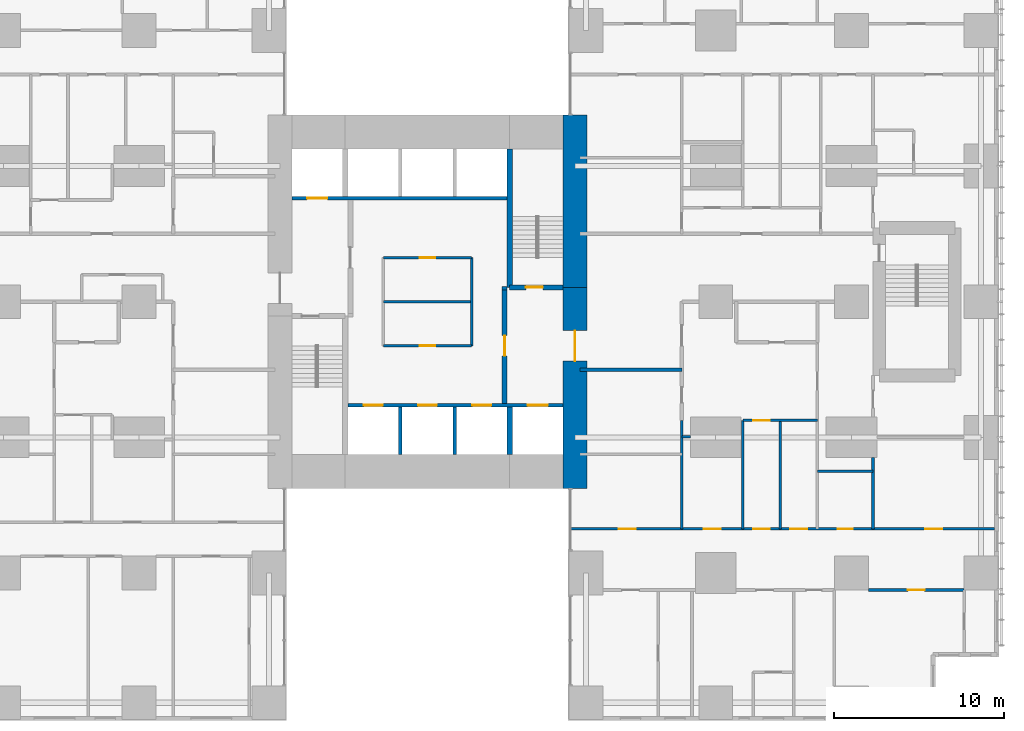
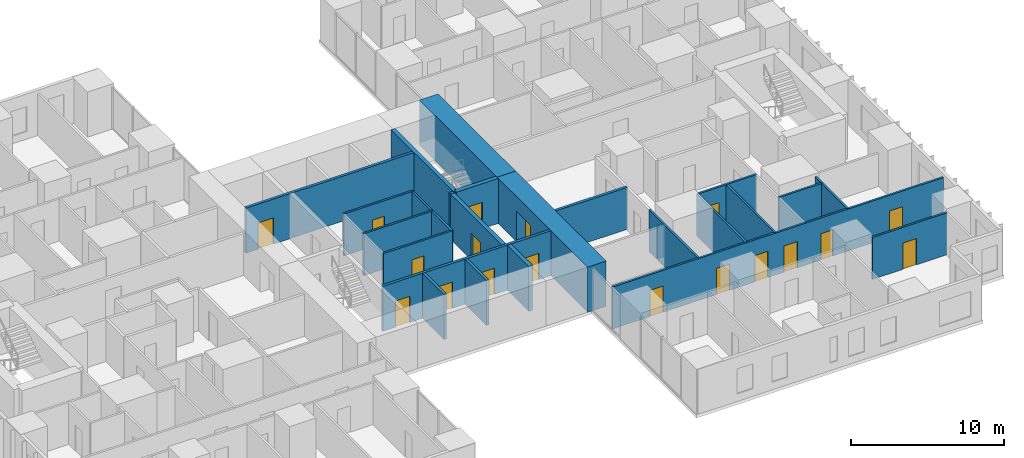
# One storey, part 15 of 20: 25 walls, 18 doors, 18 openings.
"""IFC4 building model written with IfcOpenShell, lengths in metres."""

from ifc_helpers import new_model, si_unit, direction, frame, frame_2d, origin, place, context, subcontext, project, spatial, rectangle, extrude, material, layer, layer_set, type_object, element, fill, save


model = new_model("IFC4")

# Units and contexts
model_context = context("Model", 3, precision=1e-05, world=origin(), true_north=direction((0.0, 1.0)))
body_context = subcontext(model_context, "Body", "Model", "MODEL_VIEW")
ifc_project = project(units=[si_unit("LENGTHUNIT", "METRE"), si_unit("AREAUNIT", "SQUARE_METRE"), si_unit("VOLUMEUNIT", "CUBIC_METRE"), si_unit("PLANEANGLEUNIT", "RADIAN"), si_unit("MASSUNIT", "GRAM", prefix="KILO")], contexts=[model_context])

# Site, building, storey
site_placement = place(None, origin())
site = spatial("IfcSite", under=ifc_project, at=site_placement, CompositionType="ELEMENT")
building_placement = place(site_placement, origin())
building = spatial("IfcBuilding", under=site, at=building_placement, Name="Cleftline Residences", CompositionType="ELEMENT")
storey_placement = place(building_placement, frame((0.0, 0.0, 69.199951171875)))
storey = spatial("IfcBuildingStorey", under=building, at=storey_placement, Name="L17", CompositionType="ELEMENT", Elevation=69.199951171875)

# Wall, opening, door
ifc_material_1 = material(Name="Concrete B70", Category="concrete")
ifc_layer_1 = layer(ifc_material_1, 1.39990234375)
ifc_layer_set_1 = layer_set([ifc_layer_1], Name="CORE WALL 1400")
wall_type_1 = type_object("IfcWallType", Name="CORE WALL 1400", PredefinedType="SHEAR", material=ifc_layer_set_1)
wall_1_placement = place(storey_placement, frame((41.699951171875, 13.0, 0.0), z_axis=(0.0, 0.0, 1.0), x_axis=(0.0, 1.0, 0.0)))
wall_1 = element("IfcWall", 1, at=wall_1_placement, inside=storey, type_object=wall_type_1, Name="Core wall E", PredefinedType="SHEAR", context=body_context, shape_type="SweptSolid", body=[
    extrude(rectangle(XDim=11.85009765625, YDim=1.39990234375, at=frame_2d((5.925048828125, 0.0))), origin(), (0.0, 0.0, 1.0), 3.60009765625),
])
opening_1_placement = place(wall_1_placement, frame((7.5, 0.0, 0.0)))
opening_1 = element("IfcOpeningElement", 2, at=opening_1_placement, cuts=wall_1, Name="Opening D7", PredefinedType="OPENING", context=body_context, shape_type="SweptSolid", body=[
    extrude(rectangle(XDim=1.800048828125, YDim=2.39990234375, at=frame_2d((0.89990234375, 1.199951171875))), frame((0.0, 0.7099609375, 0.0), z_axis=(0.0, -1.0, 0.0), x_axis=(1.0, 0.0, 0.0)), (0.0, 0.0, 1.0), 1.419921875),
])
ifc_material_2 = material(Name="Steel", Category="steel")
door_type_1 = type_object("IfcDoorType", Name="WING DOOR 1800X2400", OperationType="DOUBLE_DOOR_DOUBLE_SWING", PredefinedType="DOOR", material=ifc_material_2)
door_1_placement = place(opening_1_placement, origin())
door_1 = element("IfcDoor", 3, at=door_1_placement, inside=storey, type_object=door_type_1, Name="East wing door", OperationType="DOUBLE_DOOR_DOUBLE_SWING", OverallHeight=2.39990234375, OverallWidth=1.800048828125, PredefinedType="DOOR", context=body_context, shape_type="SweptSolid", body=[
    extrude(rectangle(XDim=1.800048828125, YDim=2.39990234375, at=frame_2d((0.89990234375, 1.199951171875))), frame((0.0, 0.02490234375, 0.0), z_axis=(0.0, -1.0, 0.0), x_axis=(1.0, 0.0, 0.0)), (0.0, 0.0, 1.0), 0.050048828125),
])
fill(opening_1, door_1)

# Walls
wall_2_placement = place(storey_placement, frame((41.699951171875, 24.85009765625, 0.0), z_axis=(0.0, 0.0, 1.0), x_axis=(0.0, 1.0, 0.0)))
element("IfcWall", 4, at=wall_2_placement, inside=storey, type_object=wall_type_1, Name="Core wall E1", PredefinedType="SHEAR", context=body_context, shape_type="SweptSolid", body=[
    extrude(rectangle(XDim=10.14990234375, YDim=1.39990234375, at=frame_2d((5.074951171875, 0.0))), origin(), (0.0, 0.0, 1.0), 3.60009765625),
])
ifc_material_3 = material(Name="Concrete B70", Category="concrete")
ifc_layer_2 = layer(ifc_material_3, 0.300048828125)
ifc_layer_set_2 = layer_set([ifc_layer_2], Name="CORE WALL 300")
wall_type_2 = type_object("IfcWallType", Name="CORE WALL 300", PredefinedType="SHEAR", material=ifc_layer_set_2)
wall_3_placement = place(storey_placement, frame((37.85009765625, 24.85009765625, 0.0), z_axis=(0.0, 0.0, 1.0), x_axis=(0.0, 1.0, 0.0)))
element("IfcWall", 5, at=wall_3_placement, inside=storey, type_object=wall_type_2, Name="Core wall SB-W", PredefinedType="SHEAR", context=body_context, shape_type="SweptSolid", body=[
    extrude(rectangle(XDim=8.14990234375, YDim=0.300048828125, at=frame_2d((4.074951171875, 0.0))), origin(), (0.0, 0.0, 1.0), 3.60009765625),
])

# Wall, opening, door
wall_4_placement = place(storey_placement, frame((37.85009765625, 24.85009765625, 0.0), z_axis=(0.0, 0.0, 1.0), x_axis=(1.0, 0.0, 0.0)))
wall_4 = element("IfcWall", 6, at=wall_4_placement, inside=storey, type_object=wall_type_2, Name="Core wall SB-S", PredefinedType="SHEAR", context=body_context, shape_type="SweptSolid", body=[
    extrude(rectangle(XDim=3.14990234375, YDim=0.300048828125, at=frame_2d((1.574951171875, 0.0))), origin(), (0.0, 0.0, 1.0), 3.60009765625),
])
opening_2_placement = place(wall_4_placement, frame((0.949951171875, 0.0, 0.0)))
opening_2 = element("IfcOpeningElement", 7, at=opening_2_placement, cuts=wall_4, Name="Opening D5", PredefinedType="OPENING", context=body_context, shape_type="SweptSolid", body=[
    extrude(rectangle(XDim=1.0, YDim=2.10009765625, at=frame_2d((0.5, 1.050048828125))), frame((0.0, 0.159912109375, 0.0), z_axis=(0.0, -1.0, 0.0), x_axis=(1.0, 0.0, 0.0)), (0.0, 0.0, 1.0), 0.320068359375),
])
ifc_material_4 = material(Name="Steel", Category="steel")
door_type_2 = type_object("IfcDoorType", Name="STAIR DOOR 1000X2100", OperationType="SINGLE_SWING_LEFT", PredefinedType="DOOR", material=ifc_material_4)
door_2_placement = place(opening_2_placement, origin())
door_2 = element("IfcDoor", 8, at=door_2_placement, inside=storey, type_object=door_type_2, Name="Stair B door", OperationType="SINGLE_SWING_RIGHT", OverallHeight=2.10009765625, OverallWidth=1.0, PredefinedType="DOOR", context=body_context, shape_type="SweptSolid", body=[
    extrude(rectangle(XDim=1.0, YDim=2.10009765625, at=frame_2d((0.5, 1.050048828125))), frame((0.0, 0.02490234375, 0.0), z_axis=(0.0, -1.0, 0.0), x_axis=(1.0, 0.0, 0.0)), (0.0, 0.0, 1.0), 0.050048828125),
])
fill(opening_2, door_2)

# Walls
wall_5_placement = place(storey_placement, frame((37.85009765625, 15.0, 0.0), z_axis=(0.0, 0.0, 1.0), x_axis=(0.0, 1.0, 0.0)))
element("IfcWall", 9, at=wall_5_placement, inside=storey, type_object=wall_type_2, Name="Lift shaft wall", PredefinedType="SHEAR", context=body_context, shape_type="SweptSolid", body=[
    extrude(rectangle(XDim=2.800048828125, YDim=0.300048828125, at=frame_2d((1.39990234375, 0.0))), origin(), (0.0, 0.0, 1.0), 3.60009765625),
])
ifc_material_5 = material(Name="Concrete blockwork, fire rated", Category="masonry")
ifc_layer_3 = layer(ifc_material_5, 0.199951171875)
ifc_layer_set_3 = layer_set([ifc_layer_3], Name="FIRE WALL 200")
wall_type_3 = type_object("IfcWallType", Name="FIRE WALL 200", PredefinedType="PARTITIONING", material=ifc_layer_set_3)
wall_6_placement = place(storey_placement, frame((42.0, 20.0, 0.0), z_axis=(0.0, 0.0, 1.0), x_axis=(1.0, 0.0, 0.0)))
element("IfcWall", 10, at=wall_6_placement, inside=storey, type_object=wall_type_3, Name="Fire separating wall", PredefinedType="PARTITIONING", context=body_context, shape_type="SweptSolid", body=[
    extrude(rectangle(XDim=6.0, YDim=0.199951171875, at=frame_2d((3.0, 0.0))), origin(), (0.0, 0.0, 1.0), 3.35009765625),
])
wall_7_placement = place(storey_placement, frame((37.39990234375, 24.800048828125, 0.0), z_axis=(0.0, 0.0, 1.0), x_axis=(1.0, 0.0, 0.0)))
element("IfcWall", 11, at=wall_7_placement, inside=storey, type_object=wall_type_3, Name="Fire separating wall", PredefinedType="PARTITIONING", context=body_context, shape_type="SweptSolid", body=[
    extrude(rectangle(XDim=0.300048828125, YDim=0.199951171875, at=frame_2d((0.14990234375, 0.0))), origin(), (0.0, 0.0, 1.0), 3.60009765625),
])

# Wall, opening, door
ifc_material_6 = material(Name="Gypsum board on steel studs", Category="steel")
ifc_layer_4 = layer(ifc_material_6, 0.14990234375)
ifc_layer_set_4 = layer_set([ifc_layer_4], Name="PARTITION 150")
wall_type_4 = type_object("IfcWallType", Name="PARTITION 150", PredefinedType="PARTITIONING", material=ifc_layer_set_4)
wall_8_placement = place(storey_placement, frame((59.0, 7.0, 0.0), z_axis=(0.0, 0.0, 1.0), x_axis=(1.0, 0.0, 0.0)))
wall_8 = element("IfcWall", 12, at=wall_8_placement, inside=storey, type_object=wall_type_4, Name="Partition", PredefinedType="PARTITIONING", context=body_context, shape_type="SweptSolid", body=[
    extrude(rectangle(XDim=5.64990234375, YDim=0.14990234375, at=frame_2d((2.824951171875, 0.0))), origin(), (0.0, 0.0, 1.0), 3.35009765625),
])
opening_3_placement = place(wall_8_placement, frame((2.324951171875, 0.0, 0.0)))
opening_3 = element("IfcOpeningElement", 13, at=opening_3_placement, cuts=wall_8, Name="Opening D2", PredefinedType="OPENING", context=body_context, shape_type="SweptSolid", body=[
    extrude(rectangle(XDim=1.0, YDim=2.10009765625, at=frame_2d((0.5, 1.050048828125))), frame((0.0, 0.0849609375, 0.0), z_axis=(0.0, -1.0, 0.0), x_axis=(1.0, 0.0, 0.0)), (0.0, 0.0, 1.0), 0.169921875),
])
ifc_material_7 = material(Name="Timber veneer on solid core", Category="wood")
door_type_3 = type_object("IfcDoorType", Name="DOOR 1000X2100", OperationType="SINGLE_SWING_LEFT", PredefinedType="DOOR", material=ifc_material_7)
door_3_placement = place(opening_3_placement, origin())
door_3 = element("IfcDoor", 14, at=door_3_placement, inside=storey, type_object=door_type_3, Name="Door to master bedroom", OperationType="SINGLE_SWING_LEFT", OverallHeight=2.10009765625, OverallWidth=1.0, PredefinedType="DOOR", context=body_context, shape_type="SweptSolid", body=[
    extrude(rectangle(XDim=1.0, YDim=2.10009765625, at=frame_2d((0.5, 1.050048828125))), frame((0.0, 0.02490234375, 0.0), z_axis=(0.0, -1.0, 0.0), x_axis=(1.0, 0.0, 0.0)), (0.0, 0.0, 1.0), 0.050048828125),
])
fill(opening_3, door_3)

# Wall, openings, doors
wall_9_placement = place(storey_placement, frame((41.43896484375, 10.60009765625, 0.0), z_axis=(0.0, 0.0, 1.0), x_axis=(1.0, 0.0, 0.0)))
wall_9 = element("IfcWall", 15, at=wall_9_placement, inside=storey, type_object=wall_type_4, Name="Partition", PredefinedType="PARTITIONING", context=body_context, shape_type="SweptSolid", body=[
    extrude(rectangle(XDim=25.010986328125, YDim=0.14990234375, at=frame_2d((12.50537109375, 0.0))), origin(), (0.0, 0.0, 1.0), 3.35009765625),
])
opening_4_placement = place(wall_9_placement, frame((10.760986328125, 0.0, 0.0)))
opening_4 = element("IfcOpeningElement", 16, at=opening_4_placement, cuts=wall_9, Name="Opening D2", PredefinedType="OPENING", context=body_context, shape_type="SweptSolid", body=[
    extrude(rectangle(XDim=1.0, YDim=2.10009765625, at=frame_2d((0.5, 1.050048828125))), frame((0.0, 0.0849609375, 0.0), z_axis=(0.0, -1.0, 0.0), x_axis=(1.0, 0.0, 0.0)), (0.0, 0.0, 1.0), 0.169921875),
])
opening_5_placement = place(wall_9_placement, frame((20.923583984375, 0.0, 0.0)))
opening_5 = element("IfcOpeningElement", 17, at=opening_5_placement, cuts=wall_9, Name="Opening D2", PredefinedType="OPENING", context=body_context, shape_type="SweptSolid", body=[
    extrude(rectangle(XDim=1.0, YDim=2.10009765625, at=frame_2d((0.5, 1.050048828125))), frame((0.0, 0.0849609375, 0.0), z_axis=(0.0, -1.0, 0.0), x_axis=(1.0, 0.0, 0.0)), (0.0, 0.0, 1.0), 0.169921875),
])
opening_6_placement = place(wall_9_placement, frame((15.74853515625, 0.0, 0.0)))
opening_6 = element("IfcOpeningElement", 18, at=opening_6_placement, cuts=wall_9, Name="Opening D1", PredefinedType="OPENING", context=body_context, shape_type="SweptSolid", body=[
    extrude(rectangle(XDim=0.89990234375, YDim=2.10009765625, at=frame_2d((0.449951171875, 1.050048828125))), frame((0.0, 0.0849609375, 0.0), z_axis=(0.0, -1.0, 0.0), x_axis=(1.0, 0.0, 0.0)), (0.0, 0.0, 1.0), 0.169921875),
])
opening_7_placement = place(wall_9_placement, frame((12.9609375, 0.0, 0.0)))
opening_7 = element("IfcOpeningElement", 19, at=opening_7_placement, cuts=wall_9, Name="Opening D2", PredefinedType="OPENING", context=body_context, shape_type="SweptSolid", body=[
    extrude(rectangle(XDim=1.0, YDim=2.10009765625, at=frame_2d((0.5, 1.050048828125))), frame((0.0, 0.0849609375, 0.0), z_axis=(0.0, -1.0, 0.0), x_axis=(1.0, 0.0, 0.0)), (0.0, 0.0, 1.0), 0.169921875),
])
opening_8_placement = place(wall_9_placement, frame((7.861083984375, 0.0, 0.0)))
opening_8 = element("IfcOpeningElement", 20, at=opening_8_placement, cuts=wall_9, Name="Opening D2", PredefinedType="OPENING", context=body_context, shape_type="SweptSolid", body=[
    extrude(rectangle(XDim=1.0, YDim=2.10009765625, at=frame_2d((0.5, 1.050048828125))), frame((0.0, 0.0849609375, 0.0), z_axis=(0.0, -1.0, 0.0), x_axis=(1.0, 0.0, 0.0)), (0.0, 0.0, 1.0), 0.169921875),
])
opening_9_placement = place(wall_9_placement, frame((2.8359375, 0.0, 0.0)))
opening_9 = element("IfcOpeningElement", 21, at=opening_9_placement, cuts=wall_9, Name="Opening D2", PredefinedType="OPENING", context=body_context, shape_type="SweptSolid", body=[
    extrude(rectangle(XDim=1.0, YDim=2.10009765625, at=frame_2d((0.5, 1.050048828125))), frame((0.0, 0.0849609375, 0.0), z_axis=(0.0, -1.0, 0.0), x_axis=(1.0, 0.0, 0.0)), (0.0, 0.0, 1.0), 0.169921875),
])
door_4_placement = place(opening_4_placement, origin())
door_4 = element("IfcDoor", 22, at=door_4_placement, inside=storey, type_object=door_type_3, Name="Door to residence hall", OperationType="SINGLE_SWING_RIGHT", OverallHeight=2.10009765625, OverallWidth=1.0, PredefinedType="DOOR", context=body_context, shape_type="SweptSolid", body=[
    extrude(rectangle(XDim=1.0, YDim=2.10009765625, at=frame_2d((0.5, 1.050048828125))), frame((0.0, 0.02490234375, 0.0), z_axis=(0.0, -1.0, 0.0), x_axis=(1.0, 0.0, 0.0)), (0.0, 0.0, 1.0), 0.050048828125),
])
fill(opening_4, door_4)
door_5_placement = place(opening_5_placement, origin())
door_5 = element("IfcDoor", 23, at=door_5_placement, inside=storey, type_object=door_type_3, Name="Door to sea-view living room", OperationType="SINGLE_SWING_LEFT", OverallHeight=2.10009765625, OverallWidth=1.0, PredefinedType="DOOR", context=body_context, shape_type="SweptSolid", body=[
    extrude(rectangle(XDim=1.0, YDim=2.10009765625, at=frame_2d((0.5, 1.050048828125))), frame((0.0, 0.02490234375, 0.0), z_axis=(0.0, -1.0, 0.0), x_axis=(1.0, 0.0, 0.0)), (0.0, 0.0, 1.0), 0.050048828125),
])
fill(opening_5, door_5)
door_6_placement = place(opening_7_placement, origin())
door_6 = element("IfcDoor", 24, at=door_6_placement, inside=storey, type_object=door_type_3, Name="Door to show kitchen", OperationType="SINGLE_SWING_LEFT", OverallHeight=2.10009765625, OverallWidth=1.0, PredefinedType="DOOR", context=body_context, shape_type="SweptSolid", body=[
    extrude(rectangle(XDim=1.0, YDim=2.10009765625, at=frame_2d((0.5, 1.050048828125))), frame((0.0, 0.02490234375, 0.0), z_axis=(0.0, -1.0, 0.0), x_axis=(1.0, 0.0, 0.0)), (0.0, 0.0, 1.0), 0.050048828125),
])
fill(opening_7, door_6)
door_7_placement = place(opening_8_placement, origin())
door_7 = element("IfcDoor", 25, at=door_7_placement, inside=storey, type_object=door_type_3, Name="Door to wet kitchen", OperationType="SINGLE_SWING_RIGHT", OverallHeight=2.10009765625, OverallWidth=1.0, PredefinedType="DOOR", context=body_context, shape_type="SweptSolid", body=[
    extrude(rectangle(XDim=1.0, YDim=2.10009765625, at=frame_2d((0.5, 1.050048828125))), frame((0.0, 0.02490234375, 0.0), z_axis=(0.0, -1.0, 0.0), x_axis=(1.0, 0.0, 0.0)), (0.0, 0.0, 1.0), 0.050048828125),
])
fill(opening_8, door_7)
door_8_placement = place(opening_9_placement, origin())
door_8 = element("IfcDoor", 26, at=door_8_placement, inside=storey, type_object=door_type_3, Name="Door to study", OperationType="SINGLE_SWING_RIGHT", OverallHeight=2.10009765625, OverallWidth=1.0, PredefinedType="DOOR", context=body_context, shape_type="SweptSolid", body=[
    extrude(rectangle(XDim=1.0, YDim=2.10009765625, at=frame_2d((0.5, 1.050048828125))), frame((0.0, 0.02490234375, 0.0), z_axis=(0.0, -1.0, 0.0), x_axis=(1.0, 0.0, 0.0)), (0.0, 0.0, 1.0), 0.050048828125),
])
fill(opening_9, door_8)
ifc_material_8 = material(Name="Timber veneer on solid core", Category="wood")
door_type_4 = type_object("IfcDoorType", Name="DOOR 900X2100", OperationType="SINGLE_SWING_LEFT", PredefinedType="DOOR", material=ifc_material_8)
door_9_placement = place(opening_6_placement, origin())
door_9 = element("IfcDoor", 27, at=door_9_placement, inside=storey, type_object=door_type_4, Name="Door to master bathroom", OperationType="SINGLE_SWING_LEFT", OverallHeight=2.10009765625, OverallWidth=0.89990234375, PredefinedType="DOOR", context=body_context, shape_type="SweptSolid", body=[
    extrude(rectangle(XDim=0.89990234375, YDim=2.10009765625, at=frame_2d((0.449951171875, 1.050048828125))), frame((0.0, 0.02490234375, 0.0), z_axis=(0.0, -1.0, 0.0), x_axis=(1.0, 0.0, 0.0)), (0.0, 0.0, 1.0), 0.050048828125),
])
fill(opening_6, door_9)

# Walls
wall_10_placement = place(storey_placement, frame((56.0, 14.0, 0.0), z_axis=(0.0, 0.0, 1.0), x_axis=(1.0, 0.0, 0.0)))
element("IfcWall", 28, at=wall_10_placement, inside=storey, type_object=wall_type_4, Name="Partition", PredefinedType="PARTITIONING", context=body_context, shape_type="SweptSolid", body=[
    extrude(rectangle(XDim=3.27490234375, YDim=0.14990234375, at=frame_2d((1.637451171875, 0.0))), origin(), (0.0, 0.0, 1.0), 3.35009765625),
])
wall_11_placement = place(storey_placement, frame((48.0, 16.050048828125, 0.0), z_axis=(0.0, 0.0, 1.0), x_axis=(1.0, 0.0, 0.0)))
element("IfcWall", 29, at=wall_11_placement, inside=storey, type_object=wall_type_4, Name="Partition", PredefinedType="PARTITIONING", context=body_context, shape_type="SweptSolid", body=[
    extrude(rectangle(XDim=0.5, YDim=0.14990234375, at=frame_2d((0.25, 0.0))), origin(), (0.0, 0.0, 1.0), 2.634033203125),
])

# Wall, opening, door
wall_12_placement = place(storey_placement, frame((51.60009765625, 17.0, 0.0), z_axis=(0.0, 0.0, 1.0), x_axis=(1.0, 0.0, 0.0)))
wall_12 = element("IfcWall", 30, at=wall_12_placement, inside=storey, type_object=wall_type_4, Name="Partition", PredefinedType="PARTITIONING", context=body_context, shape_type="SweptSolid", body=[
    extrude(rectangle(XDim=4.39990234375, YDim=0.14990234375, at=frame_2d((2.199951171875, 0.0))), origin(), (0.0, 0.0, 1.0), 3.35009765625),
])
opening_10_placement = place(wall_12_placement, frame((0.60009765625, 0.0, 0.0)))
opening_10 = element("IfcOpeningElement", 31, at=opening_10_placement, cuts=wall_12, Name="Opening D2", PredefinedType="OPENING", context=body_context, shape_type="SweptSolid", body=[
    extrude(rectangle(XDim=1.0, YDim=2.10009765625, at=frame_2d((0.5, 1.050048828125))), frame((0.0, 0.0849609375, 0.0), z_axis=(0.0, -1.0, 0.0), x_axis=(1.0, 0.0, 0.0)), (0.0, 0.0, 1.0), 0.169921875),
])
door_10_placement = place(opening_10_placement, origin())
door_10 = element("IfcDoor", 32, at=door_10_placement, inside=storey, type_object=door_type_3, Name="Door to residence passage", OperationType="SINGLE_SWING_RIGHT", OverallHeight=2.10009765625, OverallWidth=1.0, PredefinedType="DOOR", context=body_context, shape_type="SweptSolid", body=[
    extrude(rectangle(XDim=1.0, YDim=2.10009765625, at=frame_2d((0.5, 1.050048828125))), frame((0.0, 0.02490234375, 0.0), z_axis=(0.0, -1.0, 0.0), x_axis=(1.0, 0.0, 0.0)), (0.0, 0.0, 1.0), 0.050048828125),
])
fill(opening_10, door_10)

# Walls
for number, where, z_axis, x_axis, name in (
    (33, (48.0, 10.60009765625, 0.0), (0.0, 0.0, 1.0), (0.0, 1.0, 0.0), "Partition"),
    (34, (51.60009765625, 10.60009765625, 0.0), (0.0, 0.0, 1.0), (0.0, 1.0, 0.0), "Partition"),
    (35, (53.800048828125, 10.60009765625, 0.0), (0.0, 0.0, 1.0), (0.0, 1.0, 0.0), "Partition"),
):
    element("IfcWall", number, at=place(storey_placement, frame(where, z_axis=z_axis, x_axis=x_axis)), inside=storey, type_object=wall_type_4, Name=name, PredefinedType="PARTITIONING", context=body_context, shape_type="SweptSolid", body=[
        extrude(rectangle(XDim=6.39990234375, YDim=0.14990234375, at=frame_2d((3.199951171875, 0.0))), origin(), (0.0, 0.0, 1.0), 3.35009765625),
    ])
wall_13_placement = place(storey_placement, frame((59.27490234375, 10.60009765625, 0.0), z_axis=(0.0, 0.0, 1.0), x_axis=(0.0, 1.0, 0.0)))
element("IfcWall", 36, at=wall_13_placement, inside=storey, type_object=wall_type_4, Name="Partition", PredefinedType="PARTITIONING", context=body_context, shape_type="SweptSolid", body=[
    extrude(rectangle(XDim=4.199951171875, YDim=0.14990234375, at=frame_2d((2.10009765625, 0.0))), origin(), (0.0, 0.0, 1.0), 3.35009765625),
])

# Wall, opening, door
ifc_material_9 = material(Name="Fire-resisting gypsum board on steel studs", Category="steel")
ifc_layer_5 = layer(ifc_material_9, 0.14990234375)
ifc_layer_set_5 = layer_set([ifc_layer_5], Name="PARTITION 150 EI 60")
wall_type_5 = type_object("IfcWallType", Name="PARTITION 150 EI 60", PredefinedType="PARTITIONING", material=ifc_layer_set_5)
wall_14_placement = place(storey_placement, frame((30.39990234375, 21.39990234375, 0.0), z_axis=(0.0, 0.0, 1.0), x_axis=(1.0, 0.0, 0.0)))
wall_14 = element("IfcWall", 37, at=wall_14_placement, inside=storey, type_object=wall_type_5, Name="Core room partition", PredefinedType="PARTITIONING", context=body_context, shape_type="SweptSolid", body=[
    extrude(rectangle(XDim=5.2001953125, YDim=0.14990234375, at=frame_2d((2.60009765625, 0.0))), origin(), (0.0, 0.0, 1.0), 3.35009765625),
])
opening_11_placement = place(wall_14_placement, frame((2.14990234375, 0.0, 0.0)))
opening_11 = element("IfcOpeningElement", 38, at=opening_11_placement, cuts=wall_14, Name="Opening D1F30", PredefinedType="OPENING", context=body_context, shape_type="SweptSolid", body=[
    extrude(rectangle(XDim=0.89990234375, YDim=2.10009765625, at=frame_2d((0.449951171875, 1.050048828125))), frame((0.0, 0.0849609375, 0.0), z_axis=(0.0, -1.0, 0.0), x_axis=(1.0, 0.0, 0.0)), (0.0, 0.0, 1.0), 0.169921875),
])
ifc_material_10 = material(Name="Timber veneer on solid core", Category="wood")
door_type_5 = type_object("IfcDoorType", Name="DOOR 900X2100 EI 30", OperationType="SINGLE_SWING_LEFT", PredefinedType="DOOR", material=ifc_material_10)
door_11_placement = place(opening_11_placement, origin())
door_11 = element("IfcDoor", 39, at=door_11_placement, inside=storey, type_object=door_type_5, Name="Door to maintenance store", OperationType="SINGLE_SWING_LEFT", OverallHeight=2.10009765625, OverallWidth=0.89990234375, PredefinedType="DOOR", context=body_context, shape_type="SweptSolid", body=[
    extrude(rectangle(XDim=0.89990234375, YDim=2.10009765625, at=frame_2d((0.449951171875, 1.050048828125))), frame((0.0, 0.02490234375, 0.0), z_axis=(0.0, -1.0, 0.0), x_axis=(1.0, 0.0, 0.0)), (0.0, 0.0, 1.0), 0.050048828125),
])
fill(opening_11, door_11)

wall_15_placement = place(storey_placement, frame((30.39990234375, 26.60009765625, 0.0), z_axis=(0.0, 0.0, 1.0), x_axis=(1.0, 0.0, 0.0)))
wall_15 = element("IfcWall", 40, at=wall_15_placement, inside=storey, type_object=wall_type_5, Name="Core room partition", PredefinedType="PARTITIONING", context=body_context, shape_type="SweptSolid", body=[
    extrude(rectangle(XDim=5.2001953125, YDim=0.14990234375, at=frame_2d((2.60009765625, 0.0))), origin(), (0.0, 0.0, 1.0), 3.35009765625),
])
opening_12_placement = place(wall_15_placement, frame((2.14990234375, 0.0, 0.0)))
opening_12 = element("IfcOpeningElement", 41, at=opening_12_placement, cuts=wall_15, Name="Opening D1F30", PredefinedType="OPENING", context=body_context, shape_type="SweptSolid", body=[
    extrude(rectangle(XDim=0.89990234375, YDim=2.10009765625, at=frame_2d((0.449951171875, 1.050048828125))), frame((0.0, 0.0849609375, 0.0), z_axis=(0.0, -1.0, 0.0), x_axis=(1.0, 0.0, 0.0)), (0.0, 0.0, 1.0), 0.169921875),
])
door_12_placement = place(opening_12_placement, origin())
door_12 = element("IfcDoor", 42, at=door_12_placement, inside=storey, type_object=door_type_5, Name="Door to housekeeping pantry", OperationType="SINGLE_SWING_LEFT", OverallHeight=2.10009765625, OverallWidth=0.89990234375, PredefinedType="DOOR", context=body_context, shape_type="SweptSolid", body=[
    extrude(rectangle(XDim=0.89990234375, YDim=2.10009765625, at=frame_2d((0.449951171875, 1.050048828125))), frame((0.0, 0.02490234375, 0.0), z_axis=(0.0, -1.0, 0.0), x_axis=(1.0, 0.0, 0.0)), (0.0, 0.0, 1.0), 0.050048828125),
])
fill(opening_12, door_12)

# Walls
for number, where, z_axis, x_axis, name in (
    (43, (35.60009765625, 21.39990234375, 0.0), (0.0, 0.0, 1.0), (0.0, 1.0, 0.0), "Core room partition"),
    (44, (30.39990234375, 24.0, 0.0), (0.0, 0.0, 1.0), (1.0, 0.0, 0.0), "Core room partition"),
):
    element("IfcWall", number, at=place(storey_placement, frame(where, z_axis=z_axis, x_axis=x_axis)), inside=storey, type_object=wall_type_5, Name=name, PredefinedType="PARTITIONING", context=body_context, shape_type="SweptSolid", body=[
        extrude(rectangle(XDim=5.2001953125, YDim=0.14990234375, at=frame_2d((2.60009765625, 0.0))), origin(), (0.0, 0.0, 1.0), 3.35009765625),
    ])

# Wall, openings, doors
ifc_material_11 = material(Name="Concrete blockwork, fire rated", Category="masonry")
ifc_layer_6 = layer(ifc_material_11, 0.199951171875)
ifc_layer_set_6 = layer_set([ifc_layer_6], Name="SHAFT WALL 200")
wall_type_6 = type_object("IfcWallType", Name="SHAFT WALL 200", PredefinedType="PARTITIONING", material=ifc_layer_set_6)
wall_16_placement = place(storey_placement, frame((28.300048828125, 17.89990234375, 0.0), z_axis=(0.0, 0.0, 1.0), x_axis=(1.0, 0.0, 0.0)))
wall_16 = element("IfcWall", 45, at=wall_16_placement, inside=storey, type_object=wall_type_6, Name="Lift shaft wall", PredefinedType="PARTITIONING", context=body_context, shape_type="SweptSolid", body=[
    extrude(rectangle(XDim=12.699951171875, YDim=0.199951171875, at=frame_2d((6.35009765625, 0.0))), origin(), (0.0, 0.0, 1.0), 3.60009765625),
])
opening_13_placement = place(wall_16_placement, frame((0.949951171875, 0.0, 0.0)))
opening_13 = element("IfcOpeningElement", 46, at=opening_13_placement, cuts=wall_16, Name="Opening LD1", PredefinedType="OPENING", context=body_context, shape_type="SweptSolid", body=[
    extrude(rectangle(XDim=1.10009765625, YDim=2.10009765625, at=frame_2d((0.550048828125, 1.050048828125))), frame((0.0, 0.10986328125, 0.0), z_axis=(0.0, -1.0, 0.0), x_axis=(1.0, 0.0, 0.0)), (0.0, 0.0, 1.0), 0.219970703125),
])
opening_14_placement = place(wall_16_placement, frame((4.14990234375, 0.0, 0.0)))
opening_14 = element("IfcOpeningElement", 47, at=opening_14_placement, cuts=wall_16, Name="Opening LD1", PredefinedType="OPENING", context=body_context, shape_type="SweptSolid", body=[
    extrude(rectangle(XDim=1.10009765625, YDim=2.10009765625, at=frame_2d((0.550048828125, 1.050048828125))), frame((0.0, 0.10986328125, 0.0), z_axis=(0.0, -1.0, 0.0), x_axis=(1.0, 0.0, 0.0)), (0.0, 0.0, 1.0), 0.219970703125),
])
opening_15_placement = place(wall_16_placement, frame((7.35009765625, 0.0, 0.0)))
opening_15 = element("IfcOpeningElement", 48, at=opening_15_placement, cuts=wall_16, Name="Opening LD1", PredefinedType="OPENING", context=body_context, shape_type="SweptSolid", body=[
    extrude(rectangle(XDim=1.10009765625, YDim=2.10009765625, at=frame_2d((0.550048828125, 1.050048828125))), frame((0.0, 0.10986328125, 0.0), z_axis=(0.0, -1.0, 0.0), x_axis=(1.0, 0.0, 0.0)), (0.0, 0.0, 1.0), 0.219970703125),
])
opening_16_placement = place(wall_16_placement, frame((10.60009765625, 0.0, 0.0)))
opening_16 = element("IfcOpeningElement", 49, at=opening_16_placement, cuts=wall_16, Name="Opening LD2", PredefinedType="OPENING", context=body_context, shape_type="SweptSolid", body=[
    extrude(rectangle(XDim=1.199951171875, YDim=2.10009765625, at=frame_2d((0.60009765625, 1.050048828125))), frame((0.0, 0.10986328125, 0.0), z_axis=(0.0, -1.0, 0.0), x_axis=(1.0, 0.0, 0.0)), (0.0, 0.0, 1.0), 0.219970703125),
])
ifc_material_12 = material(Name="Steel", Category="steel")
door_type_6 = type_object("IfcDoorType", Name="FIREFIGHTING LIFT LANDING DOOR 1200X2100", OperationType="SLIDING_TO_LEFT", PredefinedType="DOOR", material=ifc_material_12)
door_13_placement = place(opening_16_placement, origin())
door_13 = element("IfcDoor", 50, at=door_13_placement, inside=storey, type_object=door_type_6, Name="Lift FL2 landing door", OperationType="SLIDING_TO_LEFT", OverallHeight=2.10009765625, OverallWidth=1.199951171875, PredefinedType="DOOR", context=body_context, shape_type="SweptSolid", body=[
    extrude(rectangle(XDim=1.199951171875, YDim=2.10009765625, at=frame_2d((0.60009765625, 1.050048828125))), frame((0.0, 0.02490234375, 0.0), z_axis=(0.0, -1.0, 0.0), x_axis=(1.0, 0.0, 0.0)), (0.0, 0.0, 1.0), 0.050048828125),
])
fill(opening_16, door_13)
ifc_material_13 = material(Name="Steel", Category="steel")
door_type_7 = type_object("IfcDoorType", Name="LIFT LANDING DOOR 1100X2100", OperationType="SLIDING_TO_LEFT", PredefinedType="DOOR", material=ifc_material_13)
door_14_placement = place(opening_13_placement, origin())
door_14 = element("IfcDoor", 51, at=door_14_placement, inside=storey, type_object=door_type_7, Name="Lift P1 landing door", OperationType="SLIDING_TO_LEFT", OverallHeight=2.10009765625, OverallWidth=1.10009765625, PredefinedType="DOOR", context=body_context, shape_type="SweptSolid", body=[
    extrude(rectangle(XDim=1.10009765625, YDim=2.10009765625, at=frame_2d((0.550048828125, 1.050048828125))), frame((0.0, 0.02490234375, 0.0), z_axis=(0.0, -1.0, 0.0), x_axis=(1.0, 0.0, 0.0)), (0.0, 0.0, 1.0), 0.050048828125),
])
fill(opening_13, door_14)
door_15_placement = place(opening_14_placement, origin())
door_15 = element("IfcDoor", 52, at=door_15_placement, inside=storey, type_object=door_type_7, Name="Lift P2 landing door", OperationType="SLIDING_TO_LEFT", OverallHeight=2.10009765625, OverallWidth=1.10009765625, PredefinedType="DOOR", context=body_context, shape_type="SweptSolid", body=[
    extrude(rectangle(XDim=1.10009765625, YDim=2.10009765625, at=frame_2d((0.550048828125, 1.050048828125))), frame((0.0, 0.02490234375, 0.0), z_axis=(0.0, -1.0, 0.0), x_axis=(1.0, 0.0, 0.0)), (0.0, 0.0, 1.0), 0.050048828125),
])
fill(opening_14, door_15)
door_16_placement = place(opening_15_placement, origin())
door_16 = element("IfcDoor", 53, at=door_16_placement, inside=storey, type_object=door_type_7, Name="Lift P3 landing door", OperationType="SLIDING_TO_LEFT", OverallHeight=2.10009765625, OverallWidth=1.10009765625, PredefinedType="DOOR", context=body_context, shape_type="SweptSolid", body=[
    extrude(rectangle(XDim=1.10009765625, YDim=2.10009765625, at=frame_2d((0.550048828125, 1.050048828125))), frame((0.0, 0.02490234375, 0.0), z_axis=(0.0, -1.0, 0.0), x_axis=(1.0, 0.0, 0.0)), (0.0, 0.0, 1.0), 0.050048828125),
])
fill(opening_15, door_16)

# Wall, opening, door
wall_17_placement = place(storey_placement, frame((25.0, 30.10009765625, 0.0), z_axis=(0.0, 0.0, 1.0), x_axis=(1.0, 0.0, 0.0)))
wall_17 = element("IfcWall", 54, at=wall_17_placement, inside=storey, type_object=wall_type_6, Name="Lift shaft wall", PredefinedType="PARTITIONING", context=body_context, shape_type="SweptSolid", body=[
    extrude(rectangle(XDim=12.699951171875, YDim=0.199951171875, at=frame_2d((6.35009765625, 0.0))), origin(), (0.0, 0.0, 1.0), 3.60009765625),
])
opening_17_placement = place(wall_17_placement, frame((0.89990234375, 0.0, 0.0)))
opening_17 = element("IfcOpeningElement", 55, at=opening_17_placement, cuts=wall_17, Name="Opening LD2", PredefinedType="OPENING", context=body_context, shape_type="SweptSolid", body=[
    extrude(rectangle(XDim=1.199951171875, YDim=2.10009765625, at=frame_2d((0.60009765625, 1.050048828125))), frame((0.0, 0.10986328125, 0.0), z_axis=(0.0, -1.0, 0.0), x_axis=(1.0, 0.0, 0.0)), (0.0, 0.0, 1.0), 0.219970703125),
])
door_17_placement = place(opening_17_placement, origin())
door_17 = element("IfcDoor", 56, at=door_17_placement, inside=storey, type_object=door_type_6, Name="Lift FL1 landing door", OperationType="SLIDING_TO_LEFT", OverallHeight=2.10009765625, OverallWidth=1.199951171875, PredefinedType="DOOR", context=body_context, shape_type="SweptSolid", body=[
    extrude(rectangle(XDim=1.199951171875, YDim=2.10009765625, at=frame_2d((0.60009765625, 1.050048828125))), frame((0.0, 0.02490234375, 0.0), z_axis=(0.0, -1.0, 0.0), x_axis=(1.0, 0.0, 0.0)), (0.0, 0.0, 1.0), 0.050048828125),
])
fill(opening_17, door_17)

# Walls
for number, where, z_axis, x_axis, name in (
    (57, (31.39990234375, 15.0, 0.0), (0.0, 0.0, 1.0), (0.0, 1.0, 0.0), "Lift shaft wall"),
    (58, (34.60009765625, 15.0, 0.0), (0.0, 0.0, 1.0), (0.0, 1.0, 0.0), "Lift shaft wall"),
):
    element("IfcWall", number, at=place(storey_placement, frame(where, z_axis=z_axis, x_axis=x_axis)), inside=storey, type_object=wall_type_6, Name=name, PredefinedType="PARTITIONING", context=body_context, shape_type="SweptSolid", body=[
        extrude(rectangle(XDim=2.800048828125, YDim=0.199951171875, at=frame_2d((1.39990234375, 0.0))), origin(), (0.0, 0.0, 1.0), 3.60009765625),
    ])

# Wall, opening, door
ifc_material_14 = material(Name="Concrete blockwork, fire rated", Category="masonry")
ifc_layer_7 = layer(ifc_material_14, 0.300048828125)
ifc_layer_set_7 = layer_set([ifc_layer_7], Name="STAIR LOBBY WALL 300")
wall_type_7 = type_object("IfcWallType", Name="STAIR LOBBY WALL 300", PredefinedType="PARTITIONING", material=ifc_layer_set_7)
wall_18_placement = place(storey_placement, frame((37.550048828125, 18.0, 0.0), z_axis=(0.0, 0.0, 1.0), x_axis=(0.0, 1.0, 0.0)))
wall_18 = element("IfcWall", 59, at=wall_18_placement, inside=storey, type_object=wall_type_7, Name="Stair and lobby wall FB-W", PredefinedType="PARTITIONING", context=body_context, shape_type="SweptSolid", body=[
    extrude(rectangle(XDim=6.699951171875, YDim=0.300048828125, at=frame_2d((3.35009765625, 0.0))), origin(), (0.0, 0.0, 1.0), 3.60009765625),
])
opening_18_placement = place(wall_18_placement, frame((2.800048828125, 0.0, 0.0)))
opening_18 = element("IfcOpeningElement", 60, at=opening_18_placement, cuts=wall_18, Name="Opening D6", PredefinedType="OPENING", context=body_context, shape_type="SweptSolid", body=[
    extrude(rectangle(XDim=1.199951171875, YDim=2.10009765625, at=frame_2d((0.60009765625, 1.050048828125))), frame((0.0, 0.159912109375, 0.0), z_axis=(0.0, -1.0, 0.0), x_axis=(1.0, 0.0, 0.0)), (0.0, 0.0, 1.0), 0.320068359375),
])
ifc_material_15 = material(Name="Steel", Category="steel")
door_type_8 = type_object("IfcDoorType", Name="LOBBY DOOR 1200X2100", OperationType="SINGLE_SWING_RIGHT", PredefinedType="DOOR", material=ifc_material_15)
door_18_placement = place(opening_18_placement, origin())
door_18 = element("IfcDoor", 61, at=door_18_placement, inside=storey, type_object=door_type_8, Name="Firefighting lobby B door", OperationType="SINGLE_SWING_LEFT", OverallHeight=2.10009765625, OverallWidth=1.199951171875, PredefinedType="DOOR", context=body_context, shape_type="SweptSolid", body=[
    extrude(rectangle(XDim=1.199951171875, YDim=2.10009765625, at=frame_2d((0.60009765625, 1.050048828125))), frame((0.0, 0.02490234375, 0.0), z_axis=(0.0, -1.0, 0.0), x_axis=(1.0, 0.0, 0.0)), (0.0, 0.0, 1.0), 0.050048828125),
])
fill(opening_18, door_18)

save(model, "model.ifc")
